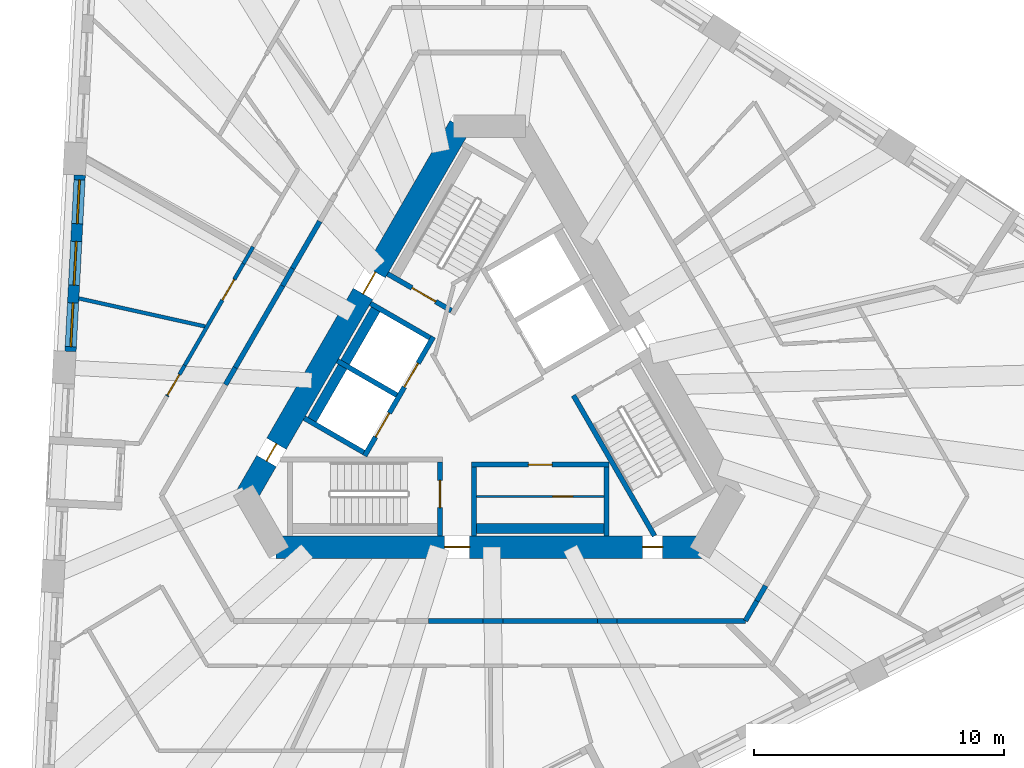
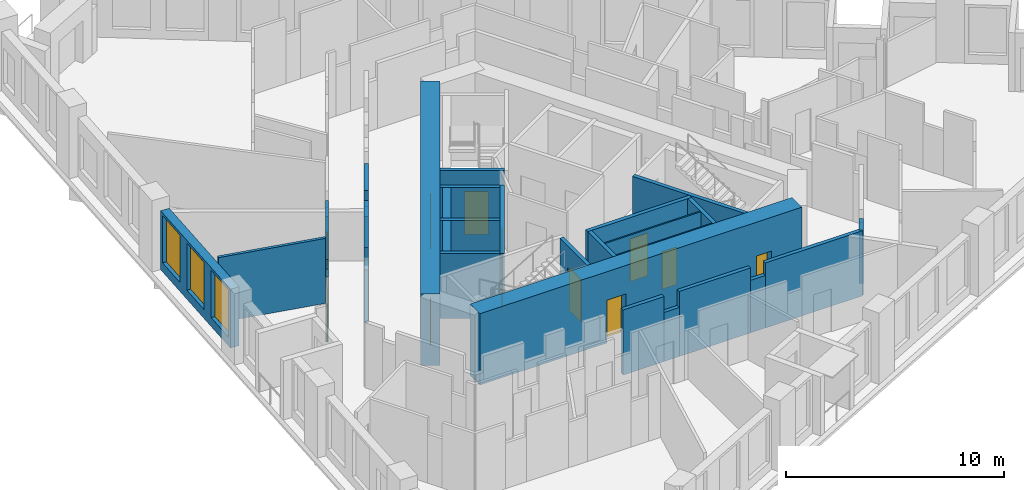
# One storey, part 4 of 13: 31 walls, 12 doors, 3 windows, 15 openings.
"""IFC4 building model written with IfcOpenShell, lengths in metres."""

from ifc_helpers import new_model, si_unit, direction, frame, frame_2d, origin, place, context, subcontext, project, spatial, polyline, rectangle, outline, extrude, material, layer, layer_set, type_object, element, fill, save


model = new_model("IFC4")

# Units and contexts
model_context = context("Model", 3, precision=1e-05, world=origin(), true_north=direction((0.0, 1.0)))
body_context = subcontext(model_context, "Body", "Model", "MODEL_VIEW")
ifc_project = project(units=[si_unit("LENGTHUNIT", "METRE"), si_unit("AREAUNIT", "SQUARE_METRE"), si_unit("VOLUMEUNIT", "CUBIC_METRE"), si_unit("PLANEANGLEUNIT", "RADIAN"), si_unit("MASSUNIT", "GRAM", prefix="KILO")], contexts=[model_context])

# Site, building, storey
site_placement = place(None, origin())
site = spatial("IfcSite", under=ifc_project, at=site_placement, CompositionType="ELEMENT")
building_placement = place(site_placement, origin())
building = spatial("IfcBuilding", under=site, at=building_placement, Name="Tramontana Tower", CompositionType="ELEMENT")
storey_placement = place(building_placement, frame((0.0, 0.0, 149.60009765625)))
storey = spatial("IfcBuildingStorey", under=building, at=storey_placement, Name="L34", CompositionType="ELEMENT", Elevation=149.60009765625)

# Wall, openings, doors
ifc_material_1 = material(Name="Concrete 70 MPa", Category="concrete")
ifc_layer_1 = layer(ifc_material_1, 0.89990234375)
ifc_layer_set_1 = layer_set([ifc_layer_1], Name="Core wall 900 70 MPa")
wall_type_1 = type_object("IfcWallType", Name="Core wall 900 70 MPa", PredefinedType="SHEAR", material=ifc_layer_set_1)
wall_1_placement = place(storey_placement, frame((-1.18359375, 10.550048828125, 0.0), z_axis=(0.0, 0.0, 1.0), x_axis=(-0.500004814304, -0.866022624227, 0.0)))
wall_1 = element("IfcWall", 1, at=wall_1_placement, inside=storey, type_object=wall_type_1, Name="Core wall C1 L34", PredefinedType="SHEAR", context=body_context, shape_type="SweptSolid", body=[
    extrude(rectangle(XDim=17.089599609375, YDim=0.89990234375, at=frame_2d((8.544921875, 0.0))), origin(), (0.0, 0.0, 1.0), 4.0),
])
opening_1_placement = place(wall_1_placement, frame((6.749755859375, 0.0, 0.0)))
opening_1 = element("IfcOpeningElement", 2, at=opening_1_placement, cuts=wall_1, Name="Opening RG1", PredefinedType="OPENING", context=body_context, shape_type="SweptSolid", body=[
    extrude(rectangle(XDim=1.0, YDim=2.39990234375, at=frame_2d((0.5, 1.199951171875))), frame((0.0, 0.4599609375, 0.0), z_axis=(0.0, -1.0, 0.0), x_axis=(1.0, 0.0, 0.0)), (0.0, 0.0, 1.0), 0.919921875),
])
opening_2_placement = place(wall_1_placement, frame((14.678466796875, 0.0, 0.0)))
opening_2 = element("IfcOpeningElement", 3, at=opening_2_placement, cuts=wall_1, Name="Opening PD1", PredefinedType="OPENING", context=body_context, shape_type="SweptSolid", body=[
    extrude(rectangle(XDim=0.800048828125, YDim=2.10009765625, at=frame_2d((0.39990234375, 1.050048828125))), frame((0.0, 0.4599609375, 0.0), z_axis=(0.0, -1.0, 0.0), x_axis=(1.0, 0.0, 0.0)), (0.0, 0.0, 1.0), 0.919921875),
])
ifc_material_2 = material(Name="Painted steel", Category="steel")
door_type_1 = type_object("IfcDoorType", Name="CUPBOARD DOOR 800", OperationType="SINGLE_SWING_LEFT", PredefinedType="DOOR", material=ifc_material_2)
door_1_placement = place(opening_2_placement, origin())
door_1 = element("IfcDoor", 4, at=door_1_placement, inside=storey, type_object=door_type_1, Name="Door PD1", OperationType="SINGLE_SWING_LEFT", OverallHeight=2.10009765625, OverallWidth=0.800048828125, PredefinedType="DOOR", context=body_context, shape_type="SweptSolid", body=[
    extrude(rectangle(XDim=0.800048828125, YDim=2.10009765625, at=frame_2d((0.39990234375, 1.050048828125))), frame((0.0, 0.02490234375, 0.0), z_axis=(0.0, -1.0, 0.0), x_axis=(1.0, 0.0, 0.0)), (0.0, 0.0, 1.0), 0.050048828125),
])
fill(opening_2, door_1)
ifc_material_3 = material(Name="Painted steel", Category="steel")
door_type_2 = type_object("IfcDoorType", Name="RING DOOR 1000", OperationType="SINGLE_SWING_LEFT", PredefinedType="DOOR", material=ifc_material_3)
door_2_placement = place(opening_1_placement, origin())
door_2 = element("IfcDoor", 5, at=door_2_placement, inside=storey, type_object=door_type_2, Name="Door RG1", OperationType="SINGLE_SWING_RIGHT", OverallHeight=2.39990234375, OverallWidth=1.0, PredefinedType="DOOR", context=body_context, shape_type="SweptSolid", body=[
    extrude(rectangle(XDim=1.0, YDim=2.39990234375, at=frame_2d((0.5, 1.199951171875))), frame((0.0, 0.02490234375, 0.0), z_axis=(0.0, -1.0, 0.0), x_axis=(1.0, 0.0, 0.0)), (0.0, 0.0, 1.0), 0.050048828125),
])
fill(opening_1, door_2)

wall_2_placement = place(storey_placement, frame((-8.544921875, -6.300048828125, 0.0), z_axis=(0.0, 0.0, 1.0), x_axis=(1.0, 0.0, 0.0)))
wall_2 = element("IfcWall", 6, at=wall_2_placement, inside=storey, type_object=wall_type_1, Name="Core wall C3 L34", PredefinedType="SHEAR", context=body_context, shape_type="SweptSolid", body=[
    extrude(rectangle(XDim=17.08984375, YDim=0.89990234375, at=frame_2d((8.544921875, 0.0))), origin(), (0.0, 0.0, 1.0), 4.0),
])
opening_3_placement = place(wall_2_placement, frame((6.749755859375, 0.0, 0.0)))
opening_3 = element("IfcOpeningElement", 7, at=opening_3_placement, cuts=wall_2, Name="Opening RG2", PredefinedType="OPENING", context=body_context, shape_type="SweptSolid", body=[
    extrude(rectangle(XDim=1.0, YDim=2.39990234375, at=frame_2d((0.5, 1.199951171875))), frame((0.0, 0.4599609375, 0.0), z_axis=(0.0, -1.0, 0.0), x_axis=(1.0, 0.0, 0.0)), (0.0, 0.0, 1.0), 0.919921875),
])
opening_4_placement = place(wall_2_placement, frame((14.678466796875, 0.0, 0.0)))
opening_4 = element("IfcOpeningElement", 8, at=opening_4_placement, cuts=wall_2, Name="Opening PD2", PredefinedType="OPENING", context=body_context, shape_type="SweptSolid", body=[
    extrude(rectangle(XDim=0.800048828125, YDim=2.10009765625, at=frame_2d((0.39990234375, 1.050048828125))), frame((0.0, 0.4599609375, 0.0), z_axis=(0.0, -1.0, 0.0), x_axis=(1.0, 0.0, 0.0)), (0.0, 0.0, 1.0), 0.919921875),
])
door_3_placement = place(opening_4_placement, origin())
door_3 = element("IfcDoor", 9, at=door_3_placement, inside=storey, type_object=door_type_1, Name="Door PD2", OperationType="SINGLE_SWING_RIGHT", OverallHeight=2.10009765625, OverallWidth=0.800048828125, PredefinedType="DOOR", context=body_context, shape_type="SweptSolid", body=[
    extrude(rectangle(XDim=0.800048828125, YDim=2.10009765625, at=frame_2d((0.39990234375, 1.050048828125))), frame((0.0, 0.02490234375, 0.0), z_axis=(0.0, -1.0, 0.0), x_axis=(1.0, 0.0, 0.0)), (0.0, 0.0, 1.0), 0.050048828125),
])
fill(opening_4, door_3)
door_4_placement = place(opening_3_placement, origin())
door_4 = element("IfcDoor", 10, at=door_4_placement, inside=storey, type_object=door_type_2, Name="Door RG2", OperationType="SINGLE_SWING_LEFT", OverallHeight=2.39990234375, OverallWidth=1.0, PredefinedType="DOOR", context=body_context, shape_type="SweptSolid", body=[
    extrude(rectangle(XDim=1.0, YDim=2.39990234375, at=frame_2d((0.5, 1.199951171875))), frame((0.0, 0.02490234375, 0.0), z_axis=(0.0, -1.0, 0.0), x_axis=(1.0, 0.0, 0.0)), (0.0, 0.0, 1.0), 0.050048828125),
])
fill(opening_3, door_4)

# Walls
ifc_material_4 = material(Name="Blockwork", Category="masonry")
ifc_layer_2 = layer(ifc_material_4, 0.199951171875)
ifc_layer_set_2 = layer_set([ifc_layer_2], Name="ENTRY WALL 200")
wall_type_2 = type_object("IfcWallType", Name="ENTRY WALL 200", PredefinedType="SOLIDWALL", material=ifc_layer_set_2)
wall_3_placement = place(storey_placement, frame((11.056884765625, -7.848876953125, 0.0), z_axis=(0.0, 0.0, 1.0), x_axis=(-0.500012199891, -0.86601836006, 0.0)))
element("IfcWall", 11, at=wall_3_placement, inside=storey, type_object=wall_type_2, Name="Wall v32-ew1-2", PredefinedType="SOLIDWALL", context=body_context, shape_type="SweptSolid", body=[
    extrude(rectangle(XDim=0.705078125, YDim=0.199951171875, at=frame_2d((0.3525390625, 0.0))), origin(), (0.0, 0.0, 1.0), 2.949951171875),
])
wall_4_placement = place(storey_placement, frame((10.704345703125, -8.45947265625, 0.0), z_axis=(0.0, 0.0, 1.0), x_axis=(-0.499907684424, -0.866078695647, 0.0)))
element("IfcWall", 12, at=wall_4_placement, inside=storey, type_object=wall_type_2, Name="Wall v32-ew1-3", PredefinedType="SOLIDWALL", context=body_context, shape_type="SweptSolid", body=[
    extrude(rectangle(XDim=0.912841796875, YDim=0.199951171875, at=frame_2d((0.45654296875, 0.0))), origin(), (0.0, 0.0, 1.0), 3.64990234375),
])
wall_5_placement = place(storey_placement, frame((10.248046875, -9.25, 0.0), z_axis=(0.0, 0.0, 1.0), x_axis=(-1.0, 0.0, 0.0)))
element("IfcWall", 13, at=wall_5_placement, inside=storey, type_object=wall_type_2, Name="Wall v32-ew2-0", PredefinedType="SOLIDWALL", context=body_context, shape_type="SweptSolid", body=[
    extrude(rectangle(XDim=5.14208984375, YDim=0.199951171875, at=frame_2d((2.571044921875, 0.0))), origin(), (0.0, 0.0, 1.0), 3.64990234375),
])
wall_6_placement = place(storey_placement, frame((5.10595703125, -9.25, 0.0), z_axis=(0.0, 0.0, 1.0), x_axis=(-1.0, 0.0, 0.0)))
element("IfcWall", 14, at=wall_6_placement, inside=storey, type_object=wall_type_2, Name="Wall v32-ew2-1", PredefinedType="SOLIDWALL", context=body_context, shape_type="SweptSolid", body=[
    extrude(rectangle(XDim=0.78564453125, YDim=0.199951171875, at=frame_2d((0.392822265625, 0.0))), origin(), (0.0, 0.0, 1.0), 2.949951171875),
])
wall_7_placement = place(storey_placement, frame((4.3203125, -9.25, 0.0), z_axis=(0.0, 0.0, 1.0), x_axis=(-1.0, 0.0, 0.0)))
element("IfcWall", 15, at=wall_7_placement, inside=storey, type_object=wall_type_2, Name="Wall v32-ew2-2", PredefinedType="SOLIDWALL", context=body_context, shape_type="SweptSolid", body=[
    extrude(rectangle(XDim=3.783203125, YDim=0.199951171875, at=frame_2d((1.8916015625, 0.0))), origin(), (0.0, 0.0, 1.0), 3.64990234375),
])
wall_8_placement = place(storey_placement, frame((0.537109375, -9.25, 0.0), z_axis=(0.0, 0.0, 1.0), x_axis=(-1.0, 0.0, 0.0)))
element("IfcWall", 16, at=wall_8_placement, inside=storey, type_object=wall_type_2, Name="Wall v32-ew2-3", PredefinedType="SOLIDWALL", context=body_context, shape_type="SweptSolid", body=[
    extrude(rectangle(XDim=0.800048828125, YDim=0.199951171875, at=frame_2d((0.39990234375, 0.0))), origin(), (0.0, 0.0, 1.0), 2.75),
])
wall_9_placement = place(storey_placement, frame((-0.262939453125, -9.25, 0.0), z_axis=(0.0, 0.0, 1.0), x_axis=(-1.0, 0.0, 0.0)))
element("IfcWall", 17, at=wall_9_placement, inside=storey, type_object=wall_type_2, Name="Wall v32-ew2-4", PredefinedType="SOLIDWALL", context=body_context, shape_type="SweptSolid", body=[
    extrude(rectangle(XDim=2.17822265625, YDim=0.199951171875, at=frame_2d((1.089111328125, 0.0))), origin(), (0.0, 0.0, 1.0), 3.64990234375),
])
wall_10_placement = place(storey_placement, frame((-10.563720703125, 0.203125, 0.0), z_axis=(0.0, 0.0, 1.0), x_axis=(0.499982474044, 0.866035522163, 0.0)))
element("IfcWall", 18, at=wall_10_placement, inside=storey, type_object=wall_type_2, Name="Wall v32-ew4-1", PredefinedType="SOLIDWALL", context=body_context, shape_type="SweptSolid", body=[
    extrude(rectangle(XDim=0.78564453125, YDim=0.199951171875, at=frame_2d((0.392822265625, 0.0))), origin(), (0.0, 0.0, 1.0), 2.949951171875),
])
wall_11_placement = place(storey_placement, frame((-10.1708984375, 0.883544921875, 0.0), z_axis=(0.0, 0.0, 1.0), x_axis=(0.499998034377, 0.866026538634, 0.0)))
element("IfcWall", 19, at=wall_11_placement, inside=storey, type_object=wall_type_2, Name="Wall v32-ew4-2", PredefinedType="SOLIDWALL", context=body_context, shape_type="SweptSolid", body=[
    extrude(rectangle(XDim=3.783203125, YDim=0.199951171875, at=frame_2d((1.8916015625, 0.0))), origin(), (0.0, 0.0, 1.0), 3.64990234375),
])
wall_12_placement = place(storey_placement, frame((-8.279296875, 4.159912109375, 0.0), z_axis=(0.0, 0.0, 1.0), x_axis=(0.500109828528, 0.865961984968, 0.0)))
element("IfcWall", 20, at=wall_12_placement, inside=storey, type_object=wall_type_2, Name="Wall v32-ew4-3", PredefinedType="SOLIDWALL", context=body_context, shape_type="SweptSolid", body=[
    extrude(rectangle(XDim=0.800048828125, YDim=0.199951171875, at=frame_2d((0.39990234375, 0.0))), origin(), (0.0, 0.0, 1.0), 2.75),
])
wall_13_placement = place(storey_placement, frame((-7.879150390625, 4.852783203125, 0.0), z_axis=(0.0, 0.0, 1.0), x_axis=(0.499948868167, 0.866054922749, 0.0)))
element("IfcWall", 21, at=wall_13_placement, inside=storey, type_object=wall_type_2, Name="Wall v32-ew4-4", PredefinedType="SOLIDWALL", context=body_context, shape_type="SweptSolid", body=[
    extrude(rectangle(XDim=2.177978515625, YDim=0.199951171875, at=frame_2d((1.0888671875, 0.0))), origin(), (0.0, 0.0, 1.0), 3.64990234375),
])

# Wall, openings, windows
ifc_material_5 = material(Name="Precast concrete 60 MPa", Category="concrete")
ifc_layer_3 = layer(ifc_material_5, 0.449951171875)
ifc_layer_set_3 = layer_set([ifc_layer_3], Name="Precast concrete 60 MPa, 450 mm")
wall_type_3 = type_object("IfcWallType", Name="EW1 Stone-faced precast wall 450", PredefinedType="SOLIDWALL", material=ifc_layer_set_3)
wall_14_placement = place(storey_placement, frame((-16.397705078125, 8.591552734375, 0.0), z_axis=(0.0, 0.0, 1.0), x_axis=(-0.052337766399, -0.998629439887, 0.0)))
wall_14 = element("IfcWall", 22, at=wall_14_placement, inside=storey, type_object=wall_type_3, Name="External wall L34 face 0 bay 3", PredefinedType="SOLIDWALL", context=body_context, shape_type="SweptSolid", body=[
    extrude(rectangle(XDim=7.07177734375, YDim=0.449951171875, at=frame_2d((3.535888671875, 0.0))), origin(), (0.0, 0.0, 1.0), 3.2998046875),
])
opening_5_placement = place(wall_14_placement, frame((0.1953125, 0.0, 0.5)))
opening_5 = element("IfcOpeningElement", 23, at=opening_5_placement, cuts=wall_14, Name="Opening M2", PredefinedType="OPENING", context=body_context, shape_type="SweptSolid", body=[
    extrude(rectangle(XDim=1.75, YDim=2.64990234375, at=frame_2d((0.875, 1.324951171875))), frame((0.0, 0.23486328125, 0.0), z_axis=(0.0, -1.0, 0.0), x_axis=(1.0, 0.0, 0.0)), (0.0, 0.0, 1.0), 0.469970703125),
])
opening_6_placement = place(wall_14_placement, frame((2.660888671875, 0.0, 0.5)))
opening_6 = element("IfcOpeningElement", 24, at=opening_6_placement, cuts=wall_14, Name="Opening M2", PredefinedType="OPENING", context=body_context, shape_type="SweptSolid", body=[
    extrude(rectangle(XDim=1.75, YDim=2.64990234375, at=frame_2d((0.875, 1.324951171875))), frame((0.0, 0.23486328125, 0.0), z_axis=(0.0, -1.0, 0.0), x_axis=(1.0, 0.0, 0.0)), (0.0, 0.0, 1.0), 0.469970703125),
])
opening_7_placement = place(wall_14_placement, frame((5.126220703125, 0.0, 0.5)))
opening_7 = element("IfcOpeningElement", 25, at=opening_7_placement, cuts=wall_14, Name="Opening M2", PredefinedType="OPENING", context=body_context, shape_type="SweptSolid", body=[
    extrude(rectangle(XDim=1.75, YDim=2.64990234375, at=frame_2d((0.875, 1.324951171875))), frame((0.0, 0.23486328125, 0.0), z_axis=(0.0, -1.0, 0.0), x_axis=(1.0, 0.0, 0.0)), (0.0, 0.0, 1.0), 0.469970703125),
])
ifc_material_6 = material(Name="Aluminum frame, double glazing unit", Category="aluminium")
window_type = type_object("IfcWindowType", Name="M2 Window 1.75 x 2.65", PartitioningType="SINGLE_PANEL", PredefinedType="WINDOW", material=ifc_material_6)
window_1_placement = place(opening_5_placement, origin())
window_1 = element("IfcWindow", 26, at=window_1_placement, inside=storey, type_object=window_type, Name="Window M2 L34 face 0 module 7", OverallHeight=2.64990234375, OverallWidth=1.75, PartitioningType="SINGLE_PANEL", PredefinedType="WINDOW", context=body_context, shape_type="SweptSolid", body=[
    extrude(rectangle(XDim=1.75, YDim=2.64990234375, at=frame_2d((0.875, 1.324951171875))), frame((0.0, 0.030029296875, 0.0), z_axis=(0.0, -1.0, 0.0), x_axis=(1.0, 0.0, 0.0)), (0.0, 0.0, 1.0), 0.06005859375),
])
fill(opening_5, window_1)
window_2_placement = place(opening_6_placement, origin())
window_2 = element("IfcWindow", 27, at=window_2_placement, inside=storey, type_object=window_type, Name="Window M2 L34 face 0 module 8", OverallHeight=2.64990234375, OverallWidth=1.75, PartitioningType="SINGLE_PANEL", PredefinedType="WINDOW", context=body_context, shape_type="SweptSolid", body=[
    extrude(rectangle(XDim=1.75, YDim=2.64990234375, at=frame_2d((0.875, 1.324951171875))), frame((0.0, 0.030029296875, 0.0), z_axis=(0.0, -1.0, 0.0), x_axis=(1.0, 0.0, 0.0)), (0.0, 0.0, 1.0), 0.06005859375),
])
fill(opening_6, window_2)
window_3_placement = place(opening_7_placement, origin())
window_3 = element("IfcWindow", 28, at=window_3_placement, inside=storey, type_object=window_type, Name="Window M2 L34 face 0 module 9", OverallHeight=2.64990234375, OverallWidth=1.75, PartitioningType="SINGLE_PANEL", PredefinedType="WINDOW", context=body_context, shape_type="SweptSolid", body=[
    extrude(rectangle(XDim=1.75, YDim=2.64990234375, at=frame_2d((0.875, 1.324951171875))), frame((0.0, 0.030029296875, 0.0), z_axis=(0.0, -1.0, 0.0), x_axis=(1.0, 0.0, 0.0)), (0.0, 0.0, 1.0), 0.06005859375),
])
fill(opening_7, window_3)

# Wall
ifc_material_7 = material(Name="Gypsum board partition")
ifc_layer_4 = layer(ifc_material_7, 0.14990234375)
ifc_layer_set_4 = layer_set([ifc_layer_4], Name="PARTITION 150")
wall_type_4 = type_object("IfcWallType", Name="PARTITION 150", PredefinedType="PARTITIONING", material=ifc_layer_set_4)
wall_15_placement = place(storey_placement, frame((-16.43115234375, 3.655517578125, 0.0), z_axis=(0.0, 0.0, 1.0), x_axis=(0.976139265243, -0.217145423278, 0.0)))
element("IfcWall", 29, at=wall_15_placement, inside=storey, type_object=wall_type_4, Name="Wall v32-pw00", PredefinedType="PARTITIONING", context=body_context, shape_type="SweptSolid", body=[
    extrude(rectangle(XDim=5.170654296875, YDim=0.14990234375, at=frame_2d((2.58544921875, 0.0))), origin(), (0.0, 0.0, 1.0), 3.64990234375),
])

# Wall, opening, door
wall_16_placement = place(storey_placement, frame((-12.908447265625, -0.258056640625, 0.0), z_axis=(0.0, 0.0, 1.0), x_axis=(0.500023749849, 0.866011691368, 0.0)))
wall_16 = element("IfcWall", 30, at=wall_16_placement, inside=storey, type_object=wall_type_4, Name="Wall v32-pw02-1", PredefinedType="PARTITIONING", context=body_context, shape_type="SweptSolid", body=[
    extrude(outline(polyline([(0.0, 0.0), (1.42626953125, 0.0), (1.426025390625, 2.949951171875), (0.66845703125, 2.949951171875), (0.66845703125, 3.64990234375), (0.0, 3.64990234375), (0.0, 0.0)])), frame((0.0, 0.074951171875, 0.0), z_axis=(0.0, -1.0, 0.0), x_axis=(1.0, 0.0, 0.0)), (0.0, 0.0, 1.0), 0.14990234375),
])
opening_8_placement = place(wall_16_placement, frame((0.050048828125, 0.0, 0.0)))
opening_8 = element("IfcOpeningElement", 31, at=opening_8_placement, cuts=wall_16, Name="Opening B3C-10", PredefinedType="OPENING", context=body_context, shape_type="SweptSolid", body=[
    extrude(rectangle(XDim=0.949951171875, YDim=2.39990234375, at=frame_2d((0.47509765625, 1.199951171875))), frame((0.0, 0.0849609375, 0.0), z_axis=(0.0, -1.0, 0.0), x_axis=(1.0, 0.0, 0.0)), (0.0, 0.0, 1.0), 0.169921875),
])
ifc_material_8 = material(Name="Painted timber", Category="wood")
door_type_3 = type_object("IfcDoorType", Name="DOOR ROOM 950", OperationType="SINGLE_SWING_LEFT", PredefinedType="DOOR", material=ifc_material_8)
door_5_placement = place(opening_8_placement, origin())
door_5 = element("IfcDoor", 32, at=door_5_placement, inside=storey, type_object=door_type_3, Name="Door B3C-10", OperationType="SINGLE_SWING_RIGHT", OverallHeight=2.39990234375, OverallWidth=0.949951171875, PredefinedType="DOOR", context=body_context, shape_type="SweptSolid", body=[
    extrude(rectangle(XDim=0.949951171875, YDim=2.39990234375, at=frame_2d((0.47509765625, 1.199951171875))), frame((0.0, 0.02490234375, 0.0), z_axis=(0.0, -1.0, 0.0), x_axis=(1.0, 0.0, 0.0)), (0.0, 0.0, 1.0), 0.050048828125),
])
fill(opening_8, door_5)

wall_17_placement = place(storey_placement, frame((-12.1953125, 0.97705078125, 0.0), z_axis=(0.0, 0.0, 1.0), x_axis=(0.499993726502, 0.86602902576, 0.0)))
wall_17 = element("IfcWall", 33, at=wall_17_placement, inside=storey, type_object=wall_type_4, Name="Wall v32-pw02-2", PredefinedType="PARTITIONING", context=body_context, shape_type="SweptSolid", body=[
    extrude(rectangle(XDim=4.7001953125, YDim=0.14990234375, at=frame_2d((2.35009765625, 0.0))), origin(), (0.0, 0.0, 1.0), 3.64990234375),
])
opening_9_placement = place(wall_17_placement, frame((3.014404296875, 0.0, 0.0)))
opening_9 = element("IfcOpeningElement", 34, at=opening_9_placement, cuts=wall_17, Name="Opening B3C-11", PredefinedType="OPENING", context=body_context, shape_type="SweptSolid", body=[
    extrude(rectangle(XDim=0.949951171875, YDim=2.39990234375, at=frame_2d((0.47509765625, 1.199951171875))), frame((0.0, 0.0849609375, 0.0), z_axis=(0.0, -1.0, 0.0), x_axis=(1.0, 0.0, 0.0)), (0.0, 0.0, 1.0), 0.169921875),
])
door_6_placement = place(opening_9_placement, origin())
door_6 = element("IfcDoor", 35, at=door_6_placement, inside=storey, type_object=door_type_3, Name="Door B3C-11", OperationType="SINGLE_SWING_LEFT", OverallHeight=2.39990234375, OverallWidth=0.949951171875, PredefinedType="DOOR", context=body_context, shape_type="SweptSolid", body=[
    extrude(rectangle(XDim=0.949951171875, YDim=2.39990234375, at=frame_2d((0.47509765625, 1.199951171875))), frame((0.0, 0.02490234375, 0.0), z_axis=(0.0, -1.0, 0.0), x_axis=(1.0, 0.0, 0.0)), (0.0, 0.0, 1.0), 0.050048828125),
])
fill(opening_9, door_6)

# Wall
wall_18_placement = place(storey_placement, frame((-9.84521484375, 5.047607421875, 0.0), z_axis=(0.0, 0.0, 1.0), x_axis=(0.499967891604, 0.866043940782, 0.0)))
element("IfcWall", 36, at=wall_18_placement, inside=storey, type_object=wall_type_4, Name="Wall v32-pw02-3", PredefinedType="PARTITIONING", context=body_context, shape_type="SweptSolid", body=[
    extrude(rectangle(XDim=0.77490234375, YDim=0.14990234375, at=frame_2d((0.387451171875, 0.0))), origin(), (0.0, 0.0, 1.0), 2.75),
])

# Wall, opening, door
ifc_material_9 = material(Name="Gypsum board partition")
ifc_layer_5 = layer(ifc_material_9, 0.080078125)
ifc_layer_set_5 = layer_set([ifc_layer_5], Name="PARTITION 80")
wall_type_5 = type_object("IfcWallType", Name="PARTITION 80", PredefinedType="PARTITIONING", material=ifc_layer_set_5)
wall_19_placement = place(storey_placement, frame((4.590087890625, -4.27490234375, 0.0), z_axis=(0.0, 0.0, 1.0), x_axis=(-1.0, 0.0, 0.0)))
wall_19 = element("IfcWall", 37, at=wall_19_placement, inside=storey, type_object=wall_type_5, Name="Wall row1-split", PredefinedType="PARTITIONING", context=body_context, shape_type="SweptSolid", body=[
    extrude(rectangle(XDim=5.10009765625, YDim=0.080078125, at=frame_2d((2.550048828125, 0.0))), origin(), (0.0, 0.0, 1.0), 3.64990234375),
])
opening_10_placement = place(wall_19_placement, frame((1.25, 0.0, 0.0)))
opening_10 = element("IfcOpeningElement", 38, at=opening_10_placement, cuts=wall_19, Name="Opening RD-1B", PredefinedType="OPENING", context=body_context, shape_type="SweptSolid", body=[
    extrude(rectangle(XDim=0.800048828125, YDim=2.10009765625, at=frame_2d((0.39990234375, 1.050048828125))), frame((0.0, 0.050048828125, 0.0), z_axis=(0.0, -1.0, 0.0), x_axis=(1.0, 0.0, 0.0)), (0.0, 0.0, 1.0), 0.10009765625),
])
door_7_placement = place(opening_10_placement, origin())
door_7 = element("IfcDoor", 39, at=door_7_placement, inside=storey, type_object=door_type_1, Name="Door RD-1B", OperationType="SINGLE_SWING_RIGHT", OverallHeight=2.10009765625, OverallWidth=0.800048828125, PredefinedType="DOOR", context=body_context, shape_type="SweptSolid", body=[
    extrude(rectangle(XDim=0.800048828125, YDim=2.10009765625, at=frame_2d((0.39990234375, 1.050048828125))), frame((0.0, 0.02490234375, 0.0), z_axis=(0.0, -1.0, 0.0), x_axis=(1.0, 0.0, 0.0)), (0.0, 0.0, 1.0), 0.050048828125),
])
fill(opening_10, door_7)

# Walls
ifc_material_10 = material(Name="Concrete 70 MPa", Category="concrete")
ifc_layer_6 = layer(ifc_material_10, 0.39990234375)
ifc_layer_set_6 = layer_set([ifc_layer_6], Name="Concrete 70 MPa, 400 mm")
wall_type_6 = type_object("IfcWallType", Name="RC SHAFT BACK WALL 400", PredefinedType="SOLIDWALL", material=ifc_layer_set_6)
for number, where, z_axis, x_axis, name in (
    (40, (-4.451416015625, 3.389892578125, 0.0), (0.0, 0.0, 1.0), (-0.499996545922, -0.866027397988, 0.0), "Wall row0-back"),
    (41, (-0.7099609375, -5.550048828125, 0.0), (0.0, 0.0, 1.0), (1.0, 0.0, 0.0), "Wall row1-back"),
):
    element("IfcWall", number, at=place(storey_placement, frame(where, z_axis=z_axis, x_axis=x_axis)), inside=storey, type_object=wall_type_6, Name=name, PredefinedType="SOLIDWALL", context=body_context, shape_type="SweptSolid", body=[
        extrude(rectangle(XDim=5.5, YDim=0.39990234375, at=frame_2d((2.75, 0.0))), origin(), (0.0, 0.0, 1.0), 3.64990234375),
    ])

# Wall, opening, door
ifc_material_11 = material(Name="Concrete 70 MPa", Category="concrete")
ifc_layer_7 = layer(ifc_material_11, 0.199951171875)
ifc_layer_set_7 = layer_set([ifc_layer_7], Name="Concrete 70 MPa, 200 mm")
wall_type_7 = type_object("IfcWallType", Name="RC STAIR AND SHAFT WALL 200", PredefinedType="SOLIDWALL", material=ifc_layer_set_7)
wall_20_placement = place(storey_placement, frame((-1.521484375, 3.164794921875, 0.0), z_axis=(0.0, 0.0, 1.0), x_axis=(-0.866039495442, 0.49997559174, 0.0)))
wall_20 = element("IfcWall", 42, at=wall_20_placement, inside=storey, type_object=wall_type_7, Name="Wall st1-near", PredefinedType="SOLIDWALL", context=body_context, shape_type="SweptSolid", body=[
    extrude(rectangle(XDim=2.949951171875, YDim=0.199951171875, at=frame_2d((1.47509765625, 0.0))), origin(), (0.0, 0.0, 1.0), 3.64990234375),
])
opening_11_placement = place(wall_20_placement, frame((0.72509765625, 0.0, 0.0)))
opening_11 = element("IfcOpeningElement", 43, at=opening_11_placement, cuts=wall_20, Name="Opening SD1", PredefinedType="OPENING", context=body_context, shape_type="SweptSolid", body=[
    extrude(rectangle(XDim=1.10009765625, YDim=2.39990234375, at=frame_2d((0.550048828125, 1.199951171875))), frame((0.0, 0.10986328125, 0.0), z_axis=(0.0, -1.0, 0.0), x_axis=(1.0, 0.0, 0.0)), (0.0, 0.0, 1.0), 0.219970703125),
])
ifc_material_12 = material(Name="Painted steel", Category="steel")
door_type_4 = type_object("IfcDoorType", Name="STAIR DOOR 1100", OperationType="SINGLE_SWING_LEFT", PredefinedType="DOOR", material=ifc_material_12)
door_8_placement = place(opening_11_placement, origin())
door_8 = element("IfcDoor", 44, at=door_8_placement, inside=storey, type_object=door_type_4, Name="Door SD1", OperationType="SINGLE_SWING_RIGHT", OverallHeight=2.39990234375, OverallWidth=1.10009765625, PredefinedType="DOOR", context=body_context, shape_type="SweptSolid", body=[
    extrude(rectangle(XDim=1.10009765625, YDim=2.39990234375, at=frame_2d((0.550048828125, 1.199951171875))), frame((0.0, 0.02490234375, 0.0), z_axis=(0.0, -1.0, 0.0), x_axis=(1.0, 0.0, 0.0)), (0.0, 0.0, 1.0), 0.050048828125),
])
fill(opening_11, door_8)

wall_21_placement = place(storey_placement, frame((-1.97998046875, -2.89990234375, 0.0), z_axis=(0.0, 0.0, 1.0), x_axis=(0.0, -1.0, 0.0)))
wall_21 = element("IfcWall", 45, at=wall_21_placement, inside=storey, type_object=wall_type_7, Name="Wall st2-near", PredefinedType="SOLIDWALL", context=body_context, shape_type="SweptSolid", body=[
    extrude(rectangle(XDim=2.9501953125, YDim=0.199951171875, at=frame_2d((1.47509765625, 0.0))), origin(), (0.0, 0.0, 1.0), 3.64990234375),
])
opening_12_placement = place(wall_21_placement, frame((0.72509765625, 0.0, 0.0)))
opening_12 = element("IfcOpeningElement", 46, at=opening_12_placement, cuts=wall_21, Name="Opening SD2", PredefinedType="OPENING", context=body_context, shape_type="SweptSolid", body=[
    extrude(rectangle(XDim=1.10009765625, YDim=2.39990234375, at=frame_2d((0.550048828125, 1.199951171875))), frame((0.0, 0.10986328125, 0.0), z_axis=(0.0, -1.0, 0.0), x_axis=(1.0, 0.0, 0.0)), (0.0, 0.0, 1.0), 0.219970703125),
])
door_9_placement = place(opening_12_placement, origin())
door_9 = element("IfcDoor", 47, at=door_9_placement, inside=storey, type_object=door_type_4, Name="Door SD2", OperationType="SINGLE_SWING_LEFT", OverallHeight=2.39990234375, OverallWidth=1.10009765625, PredefinedType="DOOR", context=body_context, shape_type="SweptSolid", body=[
    extrude(rectangle(XDim=1.10009765625, YDim=2.39990234375, at=frame_2d((0.550048828125, 1.199951171875))), frame((0.0, 0.02490234375, 0.0), z_axis=(0.0, -1.0, 0.0), x_axis=(1.0, 0.0, 0.0)), (0.0, 0.0, 1.0), 0.050048828125),
])
fill(opening_12, door_9)

# Wall
wall_22_placement = place(storey_placement, frame((6.610595703125, -5.85009765625, 0.0), z_axis=(0.0, 0.0, 1.0), x_axis=(-0.499965531574, 0.866045303225, 0.0)))
element("IfcWall", 48, at=wall_22_placement, inside=storey, type_object=wall_type_7, Name="Wall st3-front", PredefinedType="SOLIDWALL", context=body_context, shape_type="SweptSolid", body=[
    extrude(rectangle(XDim=6.49169921875, YDim=0.199951171875, at=frame_2d((3.245849609375, 0.0))), origin(), (0.0, 0.0, 1.0), 3.64990234375),
])

# Wall, openings, doors
wall_23_placement = place(storey_placement, frame((-2.2431640625, 2.114990234375, 0.0), z_axis=(0.0, 0.0, 1.0), x_axis=(-0.499996545922, -0.866027397988, 0.0)))
wall_23 = element("IfcWall", 49, at=wall_23_placement, inside=storey, type_object=wall_type_7, Name="Wall row0-front", PredefinedType="SOLIDWALL", context=body_context, shape_type="SweptSolid", body=[
    extrude(rectangle(XDim=5.5, YDim=0.199951171875, at=frame_2d((2.75, 0.0))), origin(), (0.0, 0.0, 1.0), 3.64990234375),
])
opening_13_placement = place(wall_23_placement, frame((1.219970703125, 0.0, 0.0)))
opening_13 = element("IfcOpeningElement", 50, at=opening_13_placement, cuts=wall_23, Name="Opening LD-P1", PredefinedType="OPENING", context=body_context, shape_type="SweptSolid", body=[
    extrude(rectangle(XDim=1.10009765625, YDim=2.10009765625, at=frame_2d((0.550048828125, 1.050048828125))), frame((0.0, 0.10986328125, 0.0), z_axis=(0.0, -1.0, 0.0), x_axis=(1.0, 0.0, 0.0)), (0.0, 0.0, 1.0), 0.219970703125),
])
opening_14_placement = place(wall_23_placement, frame((3.52490234375, 0.0, 0.0)))
opening_14 = element("IfcOpeningElement", 51, at=opening_14_placement, cuts=wall_23, Name="Opening LD-P2", PredefinedType="OPENING", context=body_context, shape_type="SweptSolid", body=[
    extrude(rectangle(XDim=1.10009765625, YDim=2.10009765625, at=frame_2d((0.550048828125, 1.050048828125))), frame((0.0, 0.10986328125, 0.0), z_axis=(0.0, -1.0, 0.0), x_axis=(1.0, 0.0, 0.0)), (0.0, 0.0, 1.0), 0.219970703125),
])
ifc_material_13 = material(Name="Brushed steel", Category="steel")
door_type_5 = type_object("IfcDoorType", Name="LANDING DOOR 1100", OperationType="SINGLE_SWING_LEFT", PredefinedType="DOOR", material=ifc_material_13)
door_10_placement = place(opening_13_placement, origin())
door_10 = element("IfcDoor", 52, at=door_10_placement, inside=storey, type_object=door_type_5, Name="Door LD-P1", OperationType="SLIDING_TO_LEFT", OverallHeight=2.10009765625, OverallWidth=1.10009765625, PredefinedType="DOOR", context=body_context, shape_type="SweptSolid", body=[
    extrude(rectangle(XDim=1.10009765625, YDim=2.10009765625, at=frame_2d((0.550048828125, 1.050048828125))), frame((0.0, 0.02490234375, 0.0), z_axis=(0.0, -1.0, 0.0), x_axis=(1.0, 0.0, 0.0)), (0.0, 0.0, 1.0), 0.050048828125),
])
fill(opening_13, door_10)
door_11_placement = place(opening_14_placement, origin())
door_11 = element("IfcDoor", 53, at=door_11_placement, inside=storey, type_object=door_type_5, Name="Door LD-P2", OperationType="SLIDING_TO_RIGHT", OverallHeight=2.10009765625, OverallWidth=1.10009765625, PredefinedType="DOOR", context=body_context, shape_type="SweptSolid", body=[
    extrude(rectangle(XDim=1.10009765625, YDim=2.10009765625, at=frame_2d((0.550048828125, 1.050048828125))), frame((0.0, 0.02490234375, 0.0), z_axis=(0.0, -1.0, 0.0), x_axis=(1.0, 0.0, 0.0)), (0.0, 0.0, 1.0), 0.050048828125),
])
fill(opening_14, door_11)

# Walls
for number, where, z_axis, x_axis, name in (
    (54, (-2.379638671875, 2.078369140625, 0.0), (0.0, 0.0, 1.0), (-0.866027397988, 0.499996545922, 0.0), "Wall row0-side0"),
    (55, (-3.70458984375, -0.216796875, 0.0), (0.0, 0.0, 1.0), (-0.866027397988, 0.499996545922, 0.0), "Wall row0-side1"),
):
    element("IfcWall", number, at=place(storey_placement, frame(where, z_axis=z_axis, x_axis=x_axis)), inside=storey, type_object=wall_type_7, Name=name, PredefinedType="SOLIDWALL", context=body_context, shape_type="SweptSolid", body=[
        extrude(rectangle(XDim=2.75, YDim=0.199951171875, at=frame_2d((1.375, 0.0))), origin(), (0.0, 0.0, 1.0), 3.64990234375),
    ])
wall_24_placement = place(storey_placement, frame((-5.02978515625, -2.51171875, 0.0), z_axis=(0.0, 0.0, 1.0), x_axis=(-0.866005201286, 0.500034990121, 0.0)))
element("IfcWall", 56, at=wall_24_placement, inside=storey, type_object=wall_type_7, Name="Wall row0-side2", PredefinedType="SOLIDWALL", context=body_context, shape_type="SweptSolid", body=[
    extrude(rectangle(XDim=2.749755859375, YDim=0.199951171875, at=frame_2d((1.375, 0.0))), origin(), (0.0, 0.0, 1.0), 3.64990234375),
])

# Wall, opening, door
wall_25_placement = place(storey_placement, frame((4.7900390625, -3.0, 0.0), z_axis=(0.0, 0.0, 1.0), x_axis=(-1.0, 0.0, 0.0)))
wall_25 = element("IfcWall", 57, at=wall_25_placement, inside=storey, type_object=wall_type_7, Name="Wall row1-front", PredefinedType="SOLIDWALL", context=body_context, shape_type="SweptSolid", body=[
    extrude(rectangle(XDim=5.5, YDim=0.199951171875, at=frame_2d((2.75, 0.0))), origin(), (0.0, 0.0, 1.0), 3.64990234375),
])
opening_15_placement = place(wall_25_placement, frame((2.27490234375, 0.0, 0.0)))
opening_15 = element("IfcOpeningElement", 58, at=opening_15_placement, cuts=wall_25, Name="Opening RD-1A", PredefinedType="OPENING", context=body_context, shape_type="SweptSolid", body=[
    extrude(rectangle(XDim=0.949951171875, YDim=2.39990234375, at=frame_2d((0.47509765625, 1.199951171875))), frame((0.0, 0.10986328125, 0.0), z_axis=(0.0, -1.0, 0.0), x_axis=(1.0, 0.0, 0.0)), (0.0, 0.0, 1.0), 0.219970703125),
])
door_12_placement = place(opening_15_placement, origin())
door_12 = element("IfcDoor", 59, at=door_12_placement, inside=storey, type_object=door_type_3, Name="Door RD-1A", OperationType="SINGLE_SWING_LEFT", OverallHeight=2.39990234375, OverallWidth=0.949951171875, PredefinedType="DOOR", context=body_context, shape_type="SweptSolid", body=[
    extrude(rectangle(XDim=0.949951171875, YDim=2.39990234375, at=frame_2d((0.47509765625, 1.199951171875))), frame((0.0, 0.02490234375, 0.0), z_axis=(0.0, -1.0, 0.0), x_axis=(1.0, 0.0, 0.0)), (0.0, 0.0, 1.0), 0.050048828125),
])
fill(opening_15, door_12)

# Walls
for number, where, z_axis, x_axis, name in (
    (60, (-0.610107421875, -3.10009765625, 0.0), (0.0, 0.0, 1.0), (0.0, -1.0, 0.0), "Wall row1-side0"),
    (61, (4.68994140625, -3.10009765625, 0.0), (0.0, 0.0, 1.0), (0.0, -1.0, 0.0), "Wall row1-side2"),
):
    element("IfcWall", number, at=place(storey_placement, frame(where, z_axis=z_axis, x_axis=x_axis)), inside=storey, type_object=wall_type_7, Name=name, PredefinedType="SOLIDWALL", context=body_context, shape_type="SweptSolid", body=[
        extrude(rectangle(XDim=2.75, YDim=0.199951171875, at=frame_2d((1.375, 0.0))), origin(), (0.0, 0.0, 1.0), 3.64990234375),
    ])

save(model, "model.ifc")
